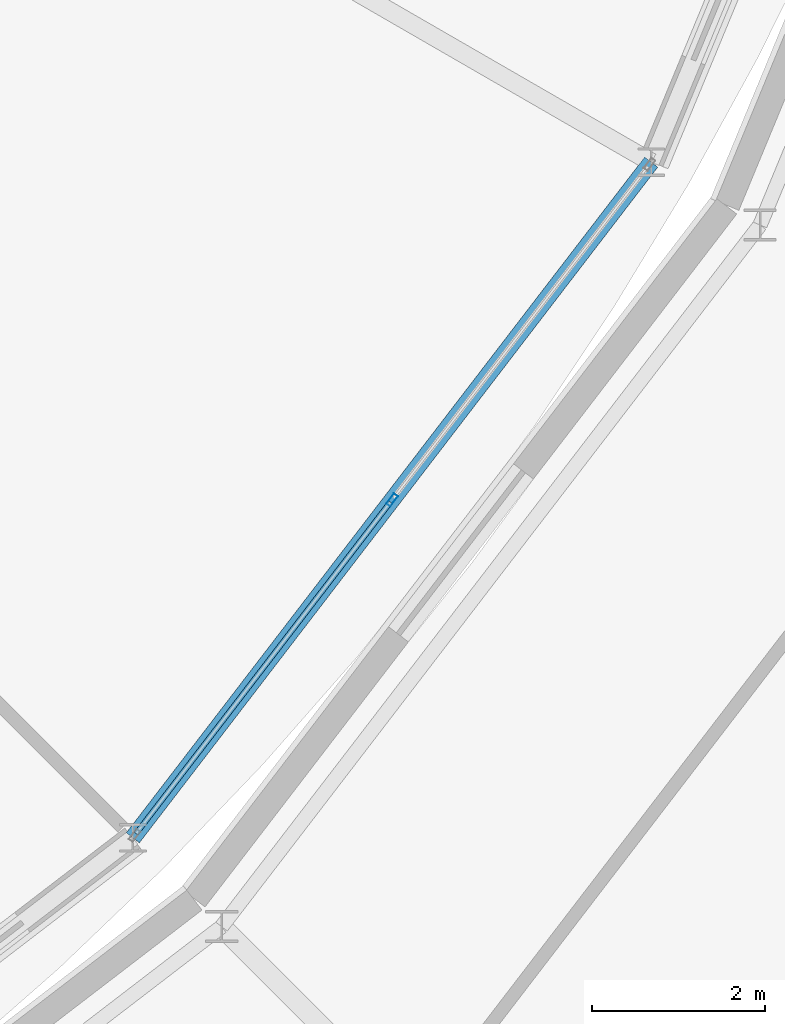
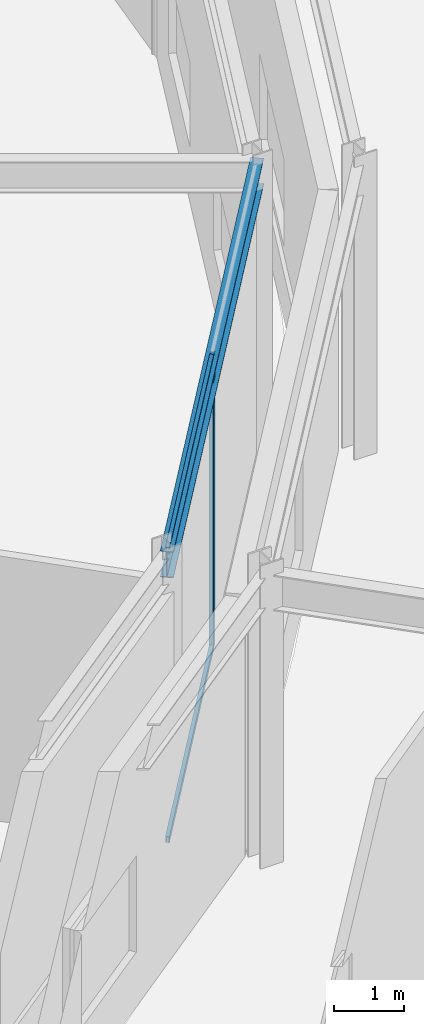
# One storey, part 49 of 168: 3 members, 1 beam, 1 element without a shape of its own.
"""IFC4 building model written with IfcOpenShell, lengths in metres."""

from ifc_helpers import new_model, si_unit, direction, frame, origin, origin_2d, place, context, subcontext, project, spatial, hollow_rectangle, i_section, extrude, material, material_profile, profile_set, type_object, element, aggregate, save


model = new_model("IFC4")

# Units and contexts
model_context = context("Model", 3, precision=1e-05, world=origin(), true_north=direction((0.0, 1.0)))
body_context = subcontext(model_context, "Body", "Model", "MODEL_VIEW")
ifc_project = project(units=[si_unit("LENGTHUNIT", "METRE"), si_unit("AREAUNIT", "SQUARE_METRE"), si_unit("VOLUMEUNIT", "CUBIC_METRE"), si_unit("PLANEANGLEUNIT", "RADIAN"), si_unit("MASSUNIT", "GRAM", prefix="KILO")], contexts=[model_context])

# Site, building, storey
site_placement = place(None, origin())
site = spatial("IfcSite", under=ifc_project, at=site_placement, CompositionType="ELEMENT")
building_placement = place(site_placement, origin())
building = spatial("IfcBuilding", under=site, at=building_placement, Name="Almandine Court Research Institute", CompositionType="ELEMENT")
storey_placement = place(building_placement, origin())
storey = spatial("IfcBuildingStorey", under=building, at=storey_placement, Name="L00", CompositionType="ELEMENT", Elevation=0.0)

# Beam
ifc_material_1 = material(Name="Steel ASTM A992 Grade 50", Category="steel")
ifc_material_profile_1 = material_profile(ifc_material_1, i_section(OverallWidth=0.18994140625, OverallDepth=0.45703125, WebThickness=0.009033203125, FlangeThickness=0.014892578125, at=origin_2d()), Name="W460x74")
ifc_profile_set_1 = profile_set([ifc_material_profile_1], Name="Steel ASTM A992 Grade 50")
beam_type = type_object("IfcBeamType", Name="Beam-B-01", PredefinedType="BEAM", material=ifc_profile_set_1)
beam_placement = place(storey_placement, frame((113.623046875, 29.376953125, 4.841064453125), z_axis=(0.608711534396, 0.793391623282, 0.0), x_axis=(-0.793391623282, 0.608711534396, 0.0)))
element("IfcBeam", 1, at=beam_placement, inside=storey, type_object=beam_type, Name="L00 Atrium Outer Ring Beam", PredefinedType="BEAM", context=body_context, shape_type="SweptSolid", body=[
    extrude(i_section(OverallWidth=0.18994140625, OverallDepth=0.45703125, WebThickness=0.009033203125, FlangeThickness=0.014892578125, at=origin_2d()), origin(), (0.0, 0.0, 1.0), 9.828857421875),
])

# Curtain wall, members
ifc_material_2 = material(Name="Unitised Curtain Wall Framing and Solar Glazing", Category="glass")
curtain_wall_type = type_object("IfcCurtainWallType", Name="CW-CWG-23", PredefinedType="USERDEFINED", material=ifc_material_2)
curtain_wall_placement = place(storey_placement, origin())
curtain_wall = element("IfcCurtainWall", 2, at=curtain_wall_placement, inside=storey, type_object=curtain_wall_type, Name="L00 Interaction Atrium Perimeter Curtain Wall 21", ObjectType="UNITISED GLAZING", PredefinedType="USERDEFINED")
ifc_material_3 = material(Name="Anodised Aluminium AW-6063-T6", Category="aluminium")
ifc_material_profile_2 = material_profile(ifc_material_3, hollow_rectangle(XDim=0.06005859375, YDim=0.14990234375, WallThickness=0.00390625, at=origin_2d()), Name="ALU RHS 60x150x4")
ifc_profile_set_2 = profile_set([ifc_material_profile_2], Name="Anodised Aluminium AW-6063-T6")
member_type_1 = type_object("IfcMemberType", Name="CWMul-60x150", PredefinedType="MULLION", material=ifc_profile_set_2)
member_1_placement = place(storey_placement, frame((116.614501953125, 33.27587890625, 0.0), z_axis=(0.0, 0.0, 1.0), x_axis=(0.793353924979, -0.608760667029, 0.0)))
member_1 = element("IfcMember", 3, at=member_1_placement, type_object=member_type_1, Name="CWG-23 mullion 2", PredefinedType="MULLION", context=body_context, shape_type="SweptSolid", body=[
    extrude(hollow_rectangle(XDim=0.06005859375, YDim=0.14990234375, WallThickness=0.00390625, at=origin_2d()), origin(), (0.0, 0.0, 1.0), 5.070068359375),
])
ifc_material_profile_3 = material_profile(ifc_material_3, hollow_rectangle(XDim=0.06005859375, YDim=0.110107421875, WallThickness=0.00390625, at=origin_2d()), Name="ALU RHS 60x110x4")
ifc_profile_set_3 = profile_set([ifc_material_profile_3], Name="Anodised Aluminium AW-6063-T6")
member_type_2 = type_object("IfcMemberType", Name="CWTrn-60x110", PredefinedType="NOTDEFINED", material=ifc_profile_set_3)
member_2_placement = place(storey_placement, frame((116.59619140625, 33.252197265625, 0.030029296875), z_axis=(-0.608731319349, -0.793376443338, 0.0), x_axis=(0.793376443338, -0.608731319349, 0.0)))
member_2 = element("IfcMember", 4, at=member_2_placement, type_object=member_type_2, Name="CWG-23 transom 2.1", ObjectType="TRANSOM", PredefinedType="USERDEFINED", context=body_context, shape_type="SweptSolid", body=[
    extrude(hollow_rectangle(XDim=0.06005859375, YDim=0.110107421875, WallThickness=0.00390625, at=origin_2d()), origin(), (0.0, 0.0, 1.0), 4.82080078125),
])
member_3_placement = place(storey_placement, frame((116.59619140625, 33.252197265625, 5.0400390625), z_axis=(-0.608731319349, -0.793376443338, 0.0), x_axis=(0.793376443338, -0.608731319349, 0.0)))
member_3 = element("IfcMember", 5, at=member_3_placement, type_object=member_type_2, Name="CWG-23 transom 2.2", ObjectType="TRANSOM", PredefinedType="USERDEFINED", context=body_context, shape_type="SweptSolid", body=[
    extrude(hollow_rectangle(XDim=0.06005859375, YDim=0.110107421875, WallThickness=0.00390625, at=origin_2d()), origin(), (0.0, 0.0, 1.0), 4.82080078125),
])
aggregate(curtain_wall, [member_1, member_2, member_3])

save(model, "model.ifc")
